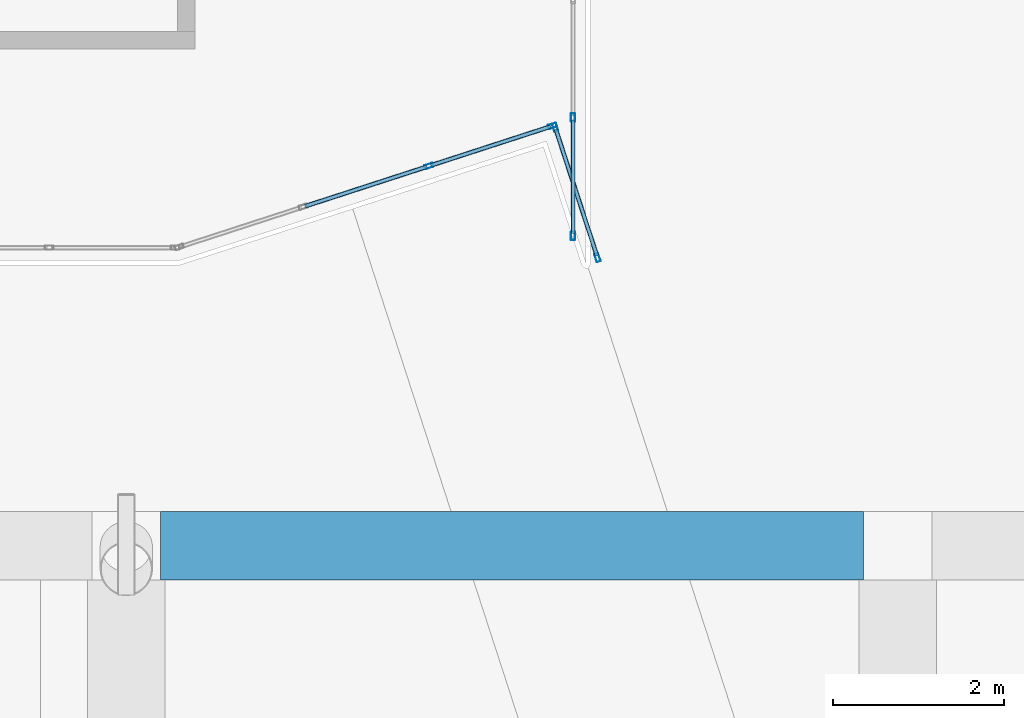
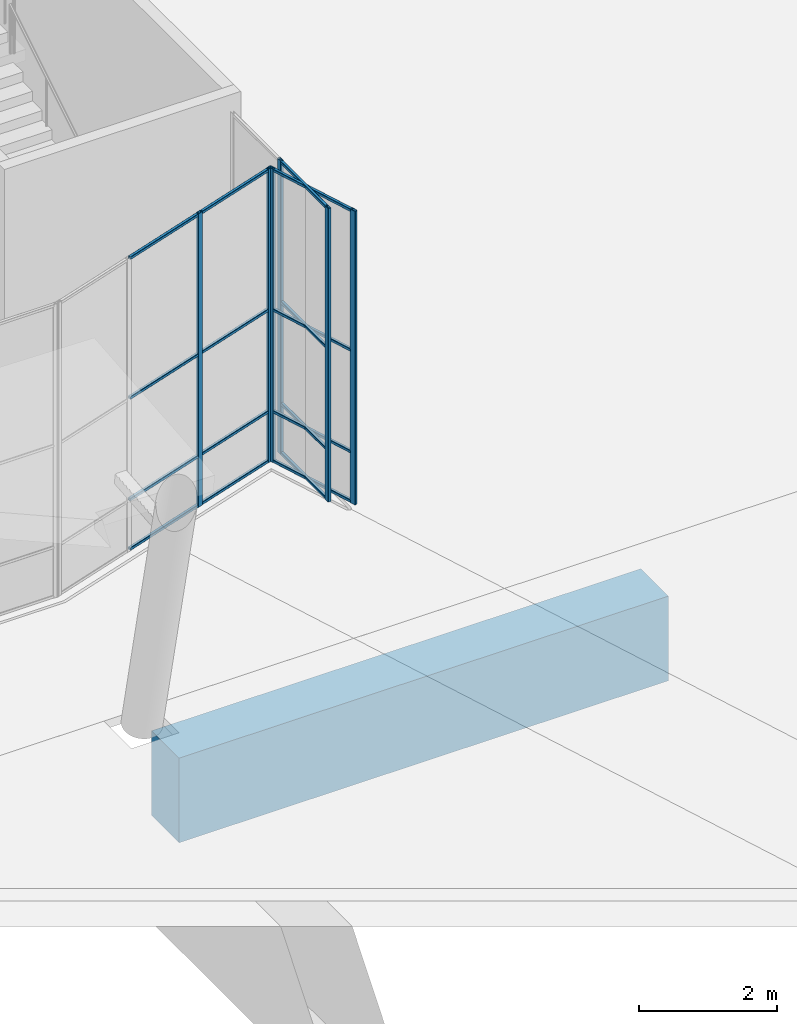
# One storey, part 13 of 72: 22 members, 1 beam, 3 elements without a shape of their own.
"""IFC4 building model written with IfcOpenShell, lengths in metres."""

from ifc_helpers import new_model, si_unit, direction, frame, origin, origin_2d, place, context, subcontext, project, spatial, rectangle, hollow_rectangle, extrude, material, layer, layer_set, material_profile, profile_set, type_object, element, aggregate, save


model = new_model("IFC4")

# Units and contexts
model_context = context("Model", 3, precision=1e-05, world=origin(), true_north=direction((0.0, 1.0)))
body_context = subcontext(model_context, "Body", "Model", "MODEL_VIEW")
ifc_project = project(units=[si_unit("LENGTHUNIT", "METRE"), si_unit("AREAUNIT", "SQUARE_METRE"), si_unit("VOLUMEUNIT", "CUBIC_METRE"), si_unit("PLANEANGLEUNIT", "RADIAN"), si_unit("MASSUNIT", "GRAM", prefix="KILO")], contexts=[model_context])

# Site, building, storey
site_placement = place(None, origin())
site = spatial("IfcSite", under=ifc_project, at=site_placement, CompositionType="ELEMENT")
building_placement = place(site_placement, origin())
building = spatial("IfcBuilding", under=site, at=building_placement, Name="Tuart Plaza Theatre", CompositionType="ELEMENT")
storey_placement = place(building_placement, origin())
storey = spatial("IfcBuildingStorey", under=building, at=storey_placement, Name="L00", CompositionType="ELEMENT", Elevation=0.0)

# Beam
ifc_material_1 = material(Name="Concrete N40 (40 MPa)", Category="concrete")
ifc_material_profile_1 = material_profile(ifc_material_1, rectangle(XDim=0.800048828125, YDim=1.5, at=origin_2d()), Name="BEAM 800x1500 Concrete N40 (40 MPa)")
ifc_profile_set_1 = profile_set([ifc_material_profile_1], Name="Concrete N40 (40 MPa)")
beam_type = type_object("IfcBeamType", Name="BEAM 800x1500 Concrete N40 (40 MPa)", PredefinedType="BEAM", material=ifc_profile_set_1)
beam_placement = place(storey_placement, frame((105.39990234375, 38.0, -1.199951171875), z_axis=(1.0, 0.0, 0.0), x_axis=(0.0, 1.0, 0.0)))
element("IfcBeam", 1, at=beam_placement, inside=storey, type_object=beam_type, Name="RB426", PredefinedType="BEAM", context=body_context, shape_type="SweptSolid", body=[
    extrude(rectangle(XDim=0.800048828125, YDim=1.5, at=origin_2d()), origin(), (0.0, 0.0, 1.0), 8.2001953125),
])

# Curtain wall, members
ifc_material_2 = material(Name="Aluminium and glass", Category="aluminium")
ifc_layer = layer(ifc_material_2, 0.10009765625)
ifc_layer_set = layer_set([ifc_layer], Name="CURTAIN WALL 1500 module")
curtain_wall_type = type_object("IfcCurtainWallType", Name="CURTAIN WALL 1500 module", PredefinedType="NOTDEFINED", material=ifc_layer_set)
curtain_wall_1_placement = place(storey_placement, origin())
curtain_wall_1 = element("IfcCurtainWall", 2, at=curtain_wall_1_placement, inside=storey, type_object=curtain_wall_type, Name="CW7", PredefinedType="NOTDEFINED")
ifc_material_3 = material(Name="Aluminium 6063-T5", Category="aluminium")
ifc_material_profile_2 = material_profile(ifc_material_3, hollow_rectangle(XDim=0.050048828125, YDim=0.10009765625, WallThickness=0.00390625, InnerFilletRadius=0.00390625, OuterFilletRadius=0.008056640625, at=origin_2d()), Name="RHS 100x50x4")
ifc_profile_set_2 = profile_set([ifc_material_profile_2], Name="Aluminium 6063-T5")
member_type_1 = type_object("IfcMemberType", Name="MULLION RHS 100x50x4", PredefinedType="MULLION", material=ifc_profile_set_2)
member_1_placement = place(storey_placement, frame((108.529541015625, 42.431640625, 0.0), z_axis=(0.0, 0.0, 1.0), x_axis=(-0.308885075459, 0.951099369235, 0.0)))
member_1 = element("IfcMember", 3, at=member_1_placement, type_object=member_type_1, Name="CW7 mullion 3", PredefinedType="MULLION", context=body_context, shape_type="SweptSolid", body=[
    extrude(hollow_rectangle(XDim=0.050048828125, YDim=0.10009765625, WallThickness=0.00390625, InnerFilletRadius=0.00390625, OuterFilletRadius=0.008056640625, at=origin_2d()), origin(), (0.0, 0.0, 1.0), 5.199951171875),
])
member_2_placement = place(storey_placement, frame((109.97265625, 42.900390625, 0.0), z_axis=(0.0, 0.0, 1.0), x_axis=(-0.308885075459, 0.951099369235, 0.0)))
member_2 = element("IfcMember", 4, at=member_2_placement, type_object=member_type_1, Name="CW7 mullion 4", PredefinedType="MULLION", context=body_context, shape_type="SweptSolid", body=[
    extrude(hollow_rectangle(XDim=0.050048828125, YDim=0.10009765625, WallThickness=0.00390625, InnerFilletRadius=0.00390625, OuterFilletRadius=0.008056640625, at=origin_2d()), origin(), (0.0, 0.0, 1.0), 5.199951171875),
])

curtain_wall_2_placement = place(storey_placement, origin())
curtain_wall_2 = element("IfcCurtainWall", 5, at=curtain_wall_2_placement, inside=storey, type_object=curtain_wall_type, Name="CW8", PredefinedType="NOTDEFINED")
member_3_placement = place(storey_placement, frame((110.004150390625, 42.88427734375, 0.0), z_axis=(0.0, 0.0, 1.0), x_axis=(0.951122257572, 0.30881459025, 0.0)))
member_3 = element("IfcMember", 6, at=member_3_placement, type_object=member_type_1, Name="CW8 mullion 1", PredefinedType="MULLION", context=body_context, shape_type="SweptSolid", body=[
    extrude(hollow_rectangle(XDim=0.050048828125, YDim=0.10009765625, WallThickness=0.00390625, InnerFilletRadius=0.00390625, OuterFilletRadius=0.008056640625, at=origin_2d()), origin(), (0.0, 0.0, 1.0), 5.199951171875),
])
member_4_placement = place(storey_placement, frame((110.498046875, 41.363037109375, 0.0), z_axis=(0.0, 0.0, 1.0), x_axis=(0.951122257572, 0.30881459025, 0.0)))
member_4 = element("IfcMember", 7, at=member_4_placement, type_object=member_type_1, Name="CW8 mullion 2", PredefinedType="MULLION", context=body_context, shape_type="SweptSolid", body=[
    extrude(hollow_rectangle(XDim=0.050048828125, YDim=0.10009765625, WallThickness=0.00390625, InnerFilletRadius=0.00390625, OuterFilletRadius=0.008056640625, at=origin_2d()), origin(), (0.0, 0.0, 1.0), 5.199951171875),
])

curtain_wall_3_placement = place(storey_placement, origin())
curtain_wall_3 = element("IfcCurtainWall", 8, at=curtain_wall_3_placement, inside=storey, type_object=curtain_wall_type, Name="CW9", PredefinedType="NOTDEFINED")
member_5_placement = place(storey_placement, frame((110.212890625, 41.617919921875, 0.0), z_axis=(0.0, 0.0, 1.0), x_axis=(-1.0, 0.0, 0.0)))
member_5 = element("IfcMember", 9, at=member_5_placement, type_object=member_type_1, Name="CW9 mullion 1", PredefinedType="MULLION", context=body_context, shape_type="SweptSolid", body=[
    extrude(hollow_rectangle(XDim=0.050048828125, YDim=0.10009765625, WallThickness=0.00390625, InnerFilletRadius=0.00390625, OuterFilletRadius=0.008056640625, at=origin_2d()), origin(), (0.0, 0.0, 1.0), 5.199951171875),
])
member_6_placement = place(storey_placement, frame((110.212890625, 42.99658203125, 0.0), z_axis=(0.0, 0.0, 1.0), x_axis=(-1.0, 0.0, 0.0)))
member_6 = element("IfcMember", 10, at=member_6_placement, type_object=member_type_1, Name="CW9 mullion 2", PredefinedType="MULLION", context=body_context, shape_type="SweptSolid", body=[
    extrude(hollow_rectangle(XDim=0.050048828125, YDim=0.10009765625, WallThickness=0.00390625, InnerFilletRadius=0.00390625, OuterFilletRadius=0.008056640625, at=origin_2d()), origin(), (0.0, 0.0, 1.0), 5.199951171875),
])

# Member
ifc_material_4 = material(Name="Aluminium 6063-T5", Category="aluminium")
ifc_material_profile_3 = material_profile(ifc_material_4, hollow_rectangle(XDim=0.050048828125, YDim=0.050048828125, WallThickness=0.00390625, InnerFilletRadius=0.00390625, OuterFilletRadius=0.008056640625, at=origin_2d()), Name="RHS 50x50x4")
ifc_profile_set_3 = profile_set([ifc_material_profile_3], Name="Aluminium 6063-T5")
member_type_2 = type_object("IfcMemberType", Name="TRANSOM RHS 50x50x4", PredefinedType="USERDEFINED", material=ifc_profile_set_3)
member_7_placement = place(storey_placement, frame((107.086669921875, 41.963134765625, 0.02490234375), z_axis=(0.951141028073, 0.308756772746, 0.0), x_axis=(-0.308756772746, 0.951141028073, 0.0)))
member_7 = element("IfcMember", 11, at=member_7_placement, type_object=member_type_2, Name="CW7 transom 2.1", ObjectType="TRANSOM", PredefinedType="USERDEFINED", context=body_context, shape_type="SweptSolid", body=[
    extrude(hollow_rectangle(XDim=0.050048828125, YDim=0.050048828125, WallThickness=0.00390625, InnerFilletRadius=0.00390625, OuterFilletRadius=0.008056640625, at=origin_2d()), origin(), (0.0, 0.0, 1.0), 1.4921875),
])

member_8_placement = place(storey_placement, frame((107.086669921875, 41.963134765625, 0.89990234375), z_axis=(0.951141028073, 0.308756772746, 0.0), x_axis=(-0.308756772746, 0.951141028073, 0.0)))
member_8 = element("IfcMember", 12, at=member_8_placement, type_object=member_type_2, Name="CW7 transom 2.2", ObjectType="TRANSOM", PredefinedType="USERDEFINED", context=body_context, shape_type="SweptSolid", body=[
    extrude(hollow_rectangle(XDim=0.050048828125, YDim=0.050048828125, WallThickness=0.00390625, InnerFilletRadius=0.00390625, OuterFilletRadius=0.008056640625, at=origin_2d()), origin(), (0.0, 0.0, 1.0), 1.4921875),
])

member_9_placement = place(storey_placement, frame((107.086669921875, 41.963134765625, 2.699951171875), z_axis=(0.951141028073, 0.308756772746, 0.0), x_axis=(-0.308756772746, 0.951141028073, 0.0)))
member_9 = element("IfcMember", 13, at=member_9_placement, type_object=member_type_2, Name="CW7 transom 2.3", ObjectType="TRANSOM", PredefinedType="USERDEFINED", context=body_context, shape_type="SweptSolid", body=[
    extrude(hollow_rectangle(XDim=0.050048828125, YDim=0.050048828125, WallThickness=0.00390625, InnerFilletRadius=0.00390625, OuterFilletRadius=0.008056640625, at=origin_2d()), origin(), (0.0, 0.0, 1.0), 1.4921875),
])

member_10_placement = place(storey_placement, frame((107.086669921875, 41.963134765625, 5.175048828125), z_axis=(0.951141028073, 0.308756772746, 0.0), x_axis=(-0.308756772746, 0.951141028073, 0.0)))
member_10 = element("IfcMember", 14, at=member_10_placement, type_object=member_type_2, Name="CW7 transom 2.4", ObjectType="TRANSOM", PredefinedType="USERDEFINED", context=body_context, shape_type="SweptSolid", body=[
    extrude(hollow_rectangle(XDim=0.050048828125, YDim=0.050048828125, WallThickness=0.00390625, InnerFilletRadius=0.00390625, OuterFilletRadius=0.008056640625, at=origin_2d()), origin(), (0.0, 0.0, 1.0), 1.4921875),
])

member_11_placement = place(storey_placement, frame((108.553466796875, 42.439453125, 0.02490234375), z_axis=(0.951101311149, 0.308879095974, 0.0), x_axis=(-0.308879095974, 0.951101311149, 0.0)))
member_11 = element("IfcMember", 15, at=member_11_placement, type_object=member_type_2, Name="CW7 transom 3.1", ObjectType="TRANSOM", PredefinedType="USERDEFINED", context=body_context, shape_type="SweptSolid", body=[
    extrude(hollow_rectangle(XDim=0.050048828125, YDim=0.050048828125, WallThickness=0.00390625, InnerFilletRadius=0.00390625, OuterFilletRadius=0.008056640625, at=origin_2d()), origin(), (0.0, 0.0, 1.0), 1.467041015625),
])

member_12_placement = place(storey_placement, frame((108.553466796875, 42.439453125, 0.89990234375), z_axis=(0.951101311149, 0.308879095974, 0.0), x_axis=(-0.308879095974, 0.951101311149, 0.0)))
member_12 = element("IfcMember", 16, at=member_12_placement, type_object=member_type_2, Name="CW7 transom 3.2", ObjectType="TRANSOM", PredefinedType="USERDEFINED", context=body_context, shape_type="SweptSolid", body=[
    extrude(hollow_rectangle(XDim=0.050048828125, YDim=0.050048828125, WallThickness=0.00390625, InnerFilletRadius=0.00390625, OuterFilletRadius=0.008056640625, at=origin_2d()), origin(), (0.0, 0.0, 1.0), 1.467041015625),
])

member_13_placement = place(storey_placement, frame((108.553466796875, 42.439453125, 2.699951171875), z_axis=(0.951101311149, 0.308879095974, 0.0), x_axis=(-0.308879095974, 0.951101311149, 0.0)))
member_13 = element("IfcMember", 17, at=member_13_placement, type_object=member_type_2, Name="CW7 transom 3.3", ObjectType="TRANSOM", PredefinedType="USERDEFINED", context=body_context, shape_type="SweptSolid", body=[
    extrude(hollow_rectangle(XDim=0.050048828125, YDim=0.050048828125, WallThickness=0.00390625, InnerFilletRadius=0.00390625, OuterFilletRadius=0.008056640625, at=origin_2d()), origin(), (0.0, 0.0, 1.0), 1.467041015625),
])

member_14_placement = place(storey_placement, frame((108.553466796875, 42.439453125, 5.175048828125), z_axis=(0.951101311149, 0.308879095974, 0.0), x_axis=(-0.308879095974, 0.951101311149, 0.0)))
member_14 = element("IfcMember", 18, at=member_14_placement, type_object=member_type_2, Name="CW7 transom 3.4", ObjectType="TRANSOM", PredefinedType="USERDEFINED", context=body_context, shape_type="SweptSolid", body=[
    extrude(hollow_rectangle(XDim=0.050048828125, YDim=0.050048828125, WallThickness=0.00390625, InnerFilletRadius=0.00390625, OuterFilletRadius=0.008056640625, at=origin_2d()), origin(), (0.0, 0.0, 1.0), 1.467041015625),
])

aggregate(curtain_wall_1, [member_1, member_2, member_7, member_8, member_9, member_10, member_11, member_12, member_13, member_14])

member_15_placement = place(storey_placement, frame((110.01171875, 42.8603515625, 0.02490234375), z_axis=(0.308890071797, -0.951097746578, 0.0), x_axis=(0.951097746578, 0.308890071797, 0.0)))
member_15 = element("IfcMember", 19, at=member_15_placement, type_object=member_type_2, Name="CW8 transom 1.1", ObjectType="TRANSOM", PredefinedType="USERDEFINED", context=body_context, shape_type="SweptSolid", body=[
    extrude(hollow_rectangle(XDim=0.050048828125, YDim=0.050048828125, WallThickness=0.00390625, InnerFilletRadius=0.00390625, OuterFilletRadius=0.008056640625, at=origin_2d()), origin(), (0.0, 0.0, 1.0), 1.549072265625),
])

member_16_placement = place(storey_placement, frame((110.01171875, 42.8603515625, 0.89990234375), z_axis=(0.308890071797, -0.951097746578, 0.0), x_axis=(0.951097746578, 0.308890071797, 0.0)))
member_16 = element("IfcMember", 20, at=member_16_placement, type_object=member_type_2, Name="CW8 transom 1.2", ObjectType="TRANSOM", PredefinedType="USERDEFINED", context=body_context, shape_type="SweptSolid", body=[
    extrude(hollow_rectangle(XDim=0.050048828125, YDim=0.050048828125, WallThickness=0.00390625, InnerFilletRadius=0.00390625, OuterFilletRadius=0.008056640625, at=origin_2d()), origin(), (0.0, 0.0, 1.0), 1.549072265625),
])

member_17_placement = place(storey_placement, frame((110.01171875, 42.8603515625, 2.699951171875), z_axis=(0.308890071797, -0.951097746578, 0.0), x_axis=(0.951097746578, 0.308890071797, 0.0)))
member_17 = element("IfcMember", 21, at=member_17_placement, type_object=member_type_2, Name="CW8 transom 1.3", ObjectType="TRANSOM", PredefinedType="USERDEFINED", context=body_context, shape_type="SweptSolid", body=[
    extrude(hollow_rectangle(XDim=0.050048828125, YDim=0.050048828125, WallThickness=0.00390625, InnerFilletRadius=0.00390625, OuterFilletRadius=0.008056640625, at=origin_2d()), origin(), (0.0, 0.0, 1.0), 1.549072265625),
])

member_18_placement = place(storey_placement, frame((110.01171875, 42.8603515625, 5.175048828125), z_axis=(0.308890071797, -0.951097746578, 0.0), x_axis=(0.951097746578, 0.308890071797, 0.0)))
member_18 = element("IfcMember", 22, at=member_18_placement, type_object=member_type_2, Name="CW8 transom 1.4", ObjectType="TRANSOM", PredefinedType="USERDEFINED", context=body_context, shape_type="SweptSolid", body=[
    extrude(hollow_rectangle(XDim=0.050048828125, YDim=0.050048828125, WallThickness=0.00390625, InnerFilletRadius=0.00390625, OuterFilletRadius=0.008056640625, at=origin_2d()), origin(), (0.0, 0.0, 1.0), 1.549072265625),
])

aggregate(curtain_wall_2, [member_3, member_4, member_15, member_16, member_17, member_18])

member_19_placement = place(storey_placement, frame((110.212890625, 41.64306640625, 0.02490234375), z_axis=(0.0, 1.0, 0.0), x_axis=(-1.0, 0.0, 0.0)))
member_19 = element("IfcMember", 23, at=member_19_placement, type_object=member_type_2, Name="CW9 transom 1.1", ObjectType="TRANSOM", PredefinedType="USERDEFINED", context=body_context, shape_type="SweptSolid", body=[
    extrude(hollow_rectangle(XDim=0.050048828125, YDim=0.050048828125, WallThickness=0.00390625, InnerFilletRadius=0.00390625, OuterFilletRadius=0.008056640625, at=origin_2d()), origin(), (0.0, 0.0, 1.0), 1.328369140625),
])

member_20_placement = place(storey_placement, frame((110.212890625, 41.64306640625, 0.89990234375), z_axis=(0.0, 1.0, 0.0), x_axis=(-1.0, 0.0, 0.0)))
member_20 = element("IfcMember", 24, at=member_20_placement, type_object=member_type_2, Name="CW9 transom 1.2", ObjectType="TRANSOM", PredefinedType="USERDEFINED", context=body_context, shape_type="SweptSolid", body=[
    extrude(hollow_rectangle(XDim=0.050048828125, YDim=0.050048828125, WallThickness=0.00390625, InnerFilletRadius=0.00390625, OuterFilletRadius=0.008056640625, at=origin_2d()), origin(), (0.0, 0.0, 1.0), 1.328369140625),
])

member_21_placement = place(storey_placement, frame((110.212890625, 41.64306640625, 2.699951171875), z_axis=(0.0, 1.0, 0.0), x_axis=(-1.0, 0.0, 0.0)))
member_21 = element("IfcMember", 25, at=member_21_placement, type_object=member_type_2, Name="CW9 transom 1.3", ObjectType="TRANSOM", PredefinedType="USERDEFINED", context=body_context, shape_type="SweptSolid", body=[
    extrude(hollow_rectangle(XDim=0.050048828125, YDim=0.050048828125, WallThickness=0.00390625, InnerFilletRadius=0.00390625, OuterFilletRadius=0.008056640625, at=origin_2d()), origin(), (0.0, 0.0, 1.0), 1.328369140625),
])

member_22_placement = place(storey_placement, frame((110.212890625, 41.64306640625, 5.175048828125), z_axis=(0.0, 1.0, 0.0), x_axis=(-1.0, 0.0, 0.0)))
member_22 = element("IfcMember", 26, at=member_22_placement, type_object=member_type_2, Name="CW9 transom 1.4", ObjectType="TRANSOM", PredefinedType="USERDEFINED", context=body_context, shape_type="SweptSolid", body=[
    extrude(hollow_rectangle(XDim=0.050048828125, YDim=0.050048828125, WallThickness=0.00390625, InnerFilletRadius=0.00390625, OuterFilletRadius=0.008056640625, at=origin_2d()), origin(), (0.0, 0.0, 1.0), 1.328369140625),
])

aggregate(curtain_wall_3, [member_5, member_6, member_19, member_20, member_21, member_22])

save(model, "model.ifc")
